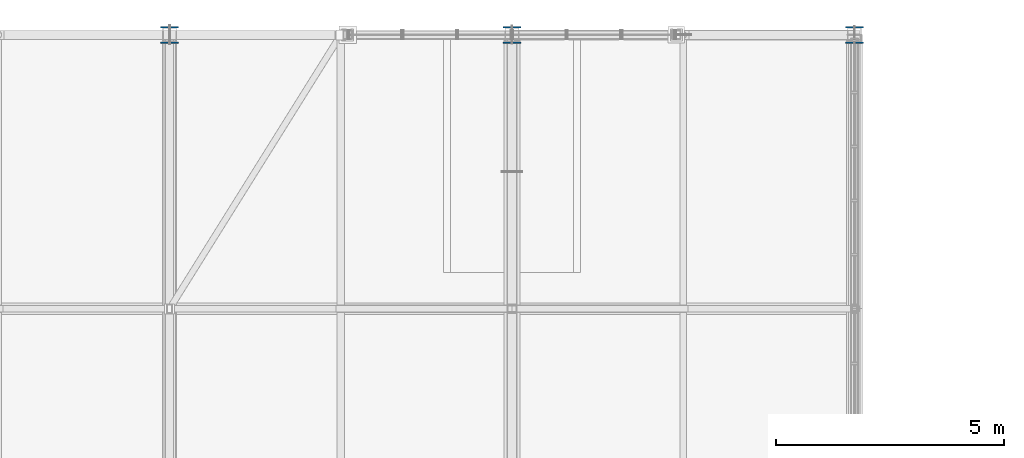
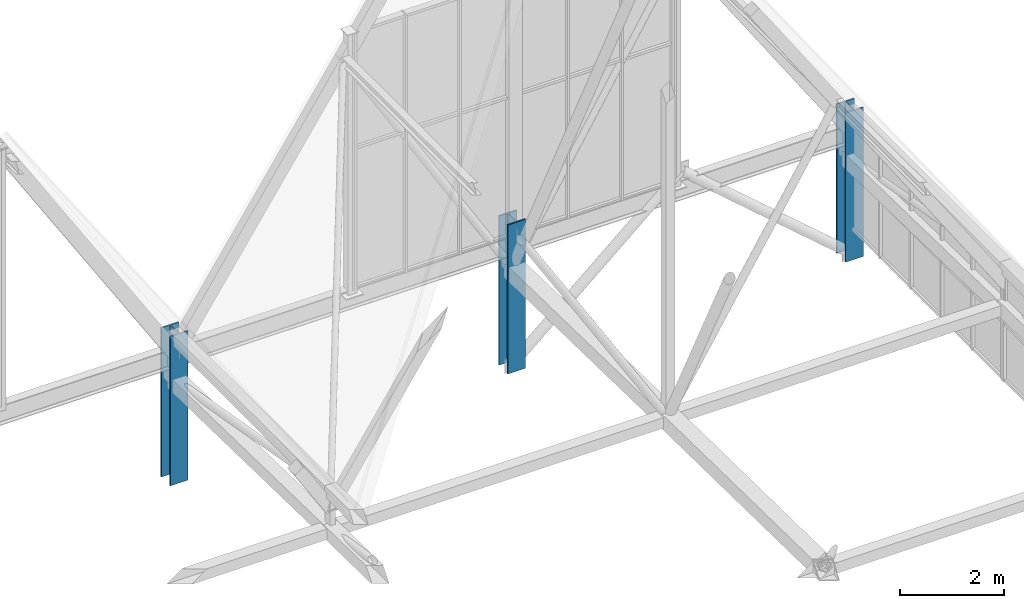
# One storey, part 15 of 324: 3 columns.
"""IFC4 building model written with IfcOpenShell, lengths in metres."""

from ifc_helpers import new_model, si_unit, direction, frame, origin, origin_2d, place, context, subcontext, project, spatial, i_section, extrude, material, material_profile, profile_set, type_object, element, save


model = new_model("IFC4")

# Units and contexts
model_context = context("Model", 3, precision=1e-05, world=origin(), true_north=direction((0.0, 1.0)))
body_context = subcontext(model_context, "Body", "Model", "MODEL_VIEW")
ifc_project = project(units=[si_unit("LENGTHUNIT", "METRE"), si_unit("AREAUNIT", "SQUARE_METRE"), si_unit("VOLUMEUNIT", "CUBIC_METRE"), si_unit("PLANEANGLEUNIT", "RADIAN"), si_unit("MASSUNIT", "GRAM", prefix="KILO")], contexts=[model_context])

# Site, building, storey
site_placement = place(None, origin())
site = spatial("IfcSite", under=ifc_project, at=site_placement, CompositionType="ELEMENT")
building_placement = place(site_placement, origin())
building = spatial("IfcBuilding", under=site, at=building_placement, Name="Solvenia Promenade Tram Depot", CompositionType="ELEMENT")
storey_placement = place(building_placement, frame((0.0, 0.0, 4.5)))
storey = spatial("IfcBuildingStorey", under=building, at=storey_placement, Name="L01", CompositionType="ELEMENT", Elevation=4.5)

# Columns
ifc_material = material(Name="Structural steel ASTM A992 Gr. 50", Category="steel")
ifc_material_profile = material_profile(ifc_material, i_section(OverallWidth=0.39404296875, OverallDepth=0.375, WebThickness=0.0205078125, FlangeThickness=0.033203125, FilletRadius=0.01806640625, at=origin_2d()), Name="W360x216", Category="steel")
ifc_profile_set = profile_set([ifc_material_profile], Name="Structural steel ASTM A992 Gr. 50")
column_type = type_object("IfcColumnType", Name="Col-W360x216", PredefinedType="COLUMN", material=ifc_profile_set)
for number, where, z_axis, x_axis, name in (
    (1, (135.0, 126.0, 0.0), (0.0, 0.0, 1.0), (1.0, 0.0, 0.0), "Steel Column COL-L01-281"),
    (2, (142.5, 126.0, 0.0), (0.0, 0.0, 1.0), (1.0, 0.0, 0.0), "Steel Column COL-L01-302"),
    (3, (150.0, 126.0, 0.0), (0.0, 0.0, 1.0), (1.0, 0.0, 0.0), "Steel Column COL-L01-323"),
):
    element("IfcColumn", number, at=place(storey_placement, frame(where, z_axis=z_axis, x_axis=x_axis)), inside=storey, type_object=column_type, Name=name, PredefinedType="COLUMN", context=body_context, shape_type="SweptSolid", body=[
        extrude(i_section(OverallWidth=0.39404296875, OverallDepth=0.375, WebThickness=0.0205078125, FlangeThickness=0.033203125, FilletRadius=0.01806640625, at=origin_2d()), origin(), (0.0, 0.0, 1.0), 3.5),
    ])

save(model, "model.ifc")
